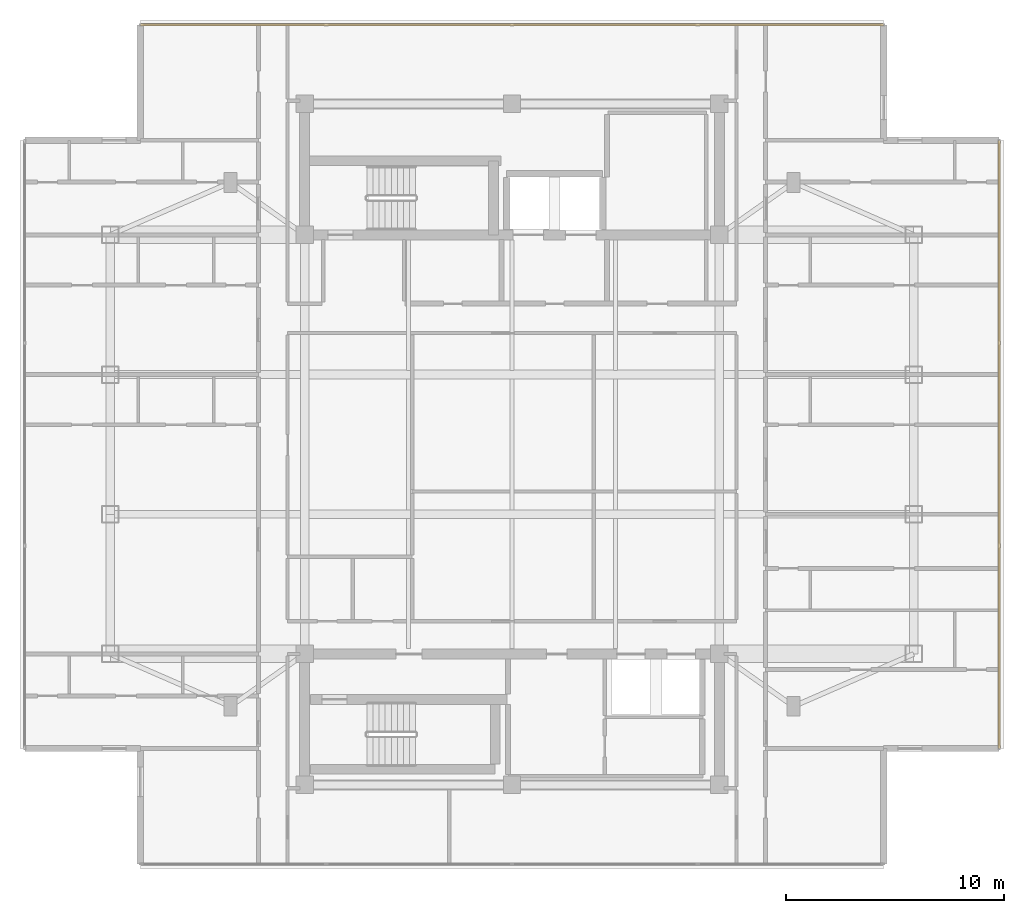
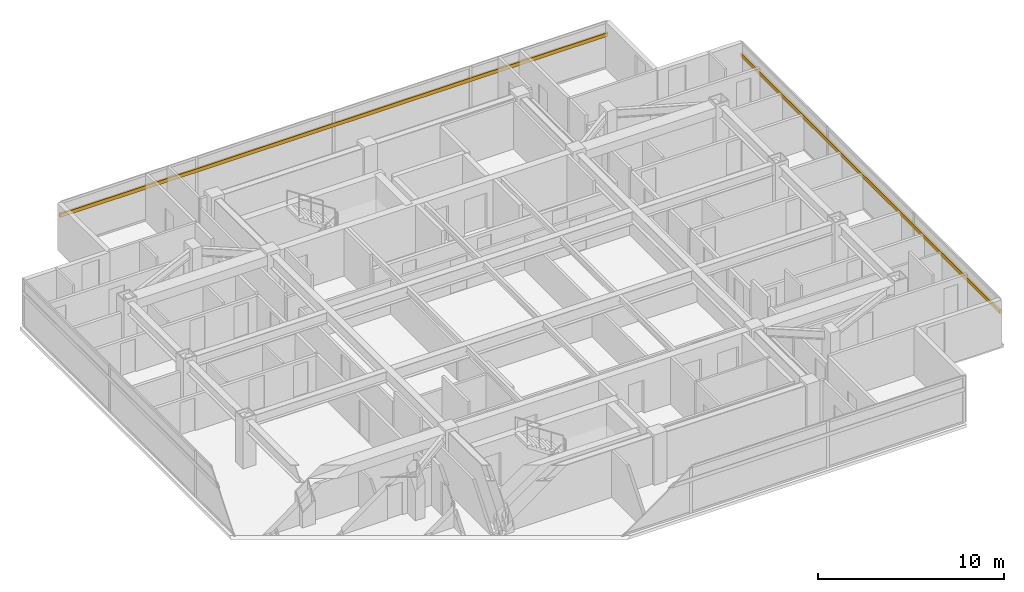
# One storey, part 14 of 14: 2 shading devices.
"""IFC4 building model written with IfcOpenShell, lengths in metres."""

from ifc_helpers import new_model, si_unit, direction, frame, origin, origin_2d, place, context, subcontext, project, spatial, rectangle, extrude, material, material_profile, profile_set, type_object, element, save


model = new_model("IFC4")

# Units and contexts
model_context = context("Model", 3, precision=1e-05, world=origin(), true_north=direction((0.0, 1.0)))
body_context = subcontext(model_context, "Body", "Model", "MODEL_VIEW")
ifc_project = project(units=[si_unit("LENGTHUNIT", "METRE"), si_unit("AREAUNIT", "SQUARE_METRE"), si_unit("VOLUMEUNIT", "CUBIC_METRE"), si_unit("PLANEANGLEUNIT", "RADIAN"), si_unit("MASSUNIT", "GRAM", prefix="KILO")], contexts=[model_context])

# Site, building, storey
site_placement = place(None, origin())
site = spatial("IfcSite", under=ifc_project, at=site_placement, CompositionType="ELEMENT")
building_placement = place(site_placement, origin())
building = spatial("IfcBuilding", under=site, at=building_placement, Name="Mirazonda Arch Towers", CompositionType="ELEMENT")
storey_placement = place(building_placement, frame((0.0, 0.0, 245.800048828125)))
storey = spatial("IfcBuildingStorey", under=building, at=storey_placement, Name="L70", CompositionType="ELEMENT", Elevation=245.800048828125)

# Shading devices
ifc_material = material(Name="Kiln-Fired Architectural Terracotta", Category="masonry")
ifc_material_profile = material_profile(ifc_material, rectangle(XDim=0.1201171875, YDim=0.239990234375, at=origin_2d()), Name="TERRA-BAG-120x240")
ifc_profile_set = profile_set([ifc_material_profile], Name="Kiln-Fired Architectural Terracotta")
shading_device_type = type_object("IfcShadingDeviceType", Name="BAGUETTE-1", PredefinedType="USERDEFINED", material=ifc_profile_set)
shading_device_1_placement = place(storey_placement, frame((42.820068359375, 14.06591796875, 2.217529296875), z_axis=(0.0, 1.0, 0.0), x_axis=(-1.0, 0.0, 0.0)))
element("IfcShadingDevice", 1, at=shading_device_1_placement, inside=storey, type_object=shading_device_type, Name="L70 Glazed Terracotta Sun-Screen Baguette CW-L70-T1-E", ObjectType="BAGUETTE", PredefinedType="USERDEFINED", context=body_context, shape_type="SweptSolid", body=[
    extrude(rectangle(XDim=0.1201171875, YDim=0.239990234375, at=origin_2d()), origin(), (0.0, 0.0, 1.0), 27.8681640625),
])
shading_device_2_placement = place(storey_placement, frame((3.469970703125, 47.22412109375, 2.217529296875), z_axis=(1.0, 0.0, 0.0), x_axis=(0.0, 1.0, 0.0)))
element("IfcShadingDevice", 2, at=shading_device_2_placement, inside=storey, type_object=shading_device_type, Name="L70 Glazed Terracotta Sun-Screen Baguette CW-L70-T1-N", ObjectType="BAGUETTE", PredefinedType="USERDEFINED", context=body_context, shape_type="SweptSolid", body=[
    extrude(rectangle(XDim=0.1201171875, YDim=0.239990234375, at=origin_2d()), origin(), (0.0, 0.0, 1.0), 34.06005859375),
])

save(model, "model.ifc")
